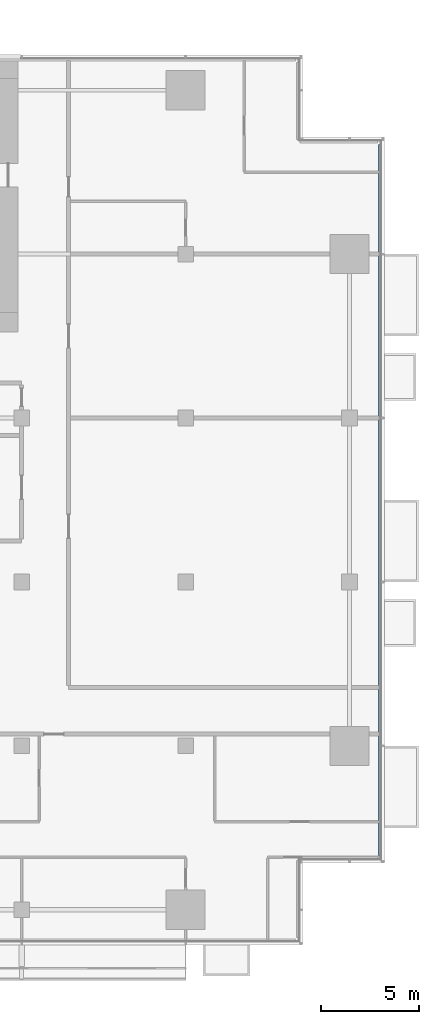
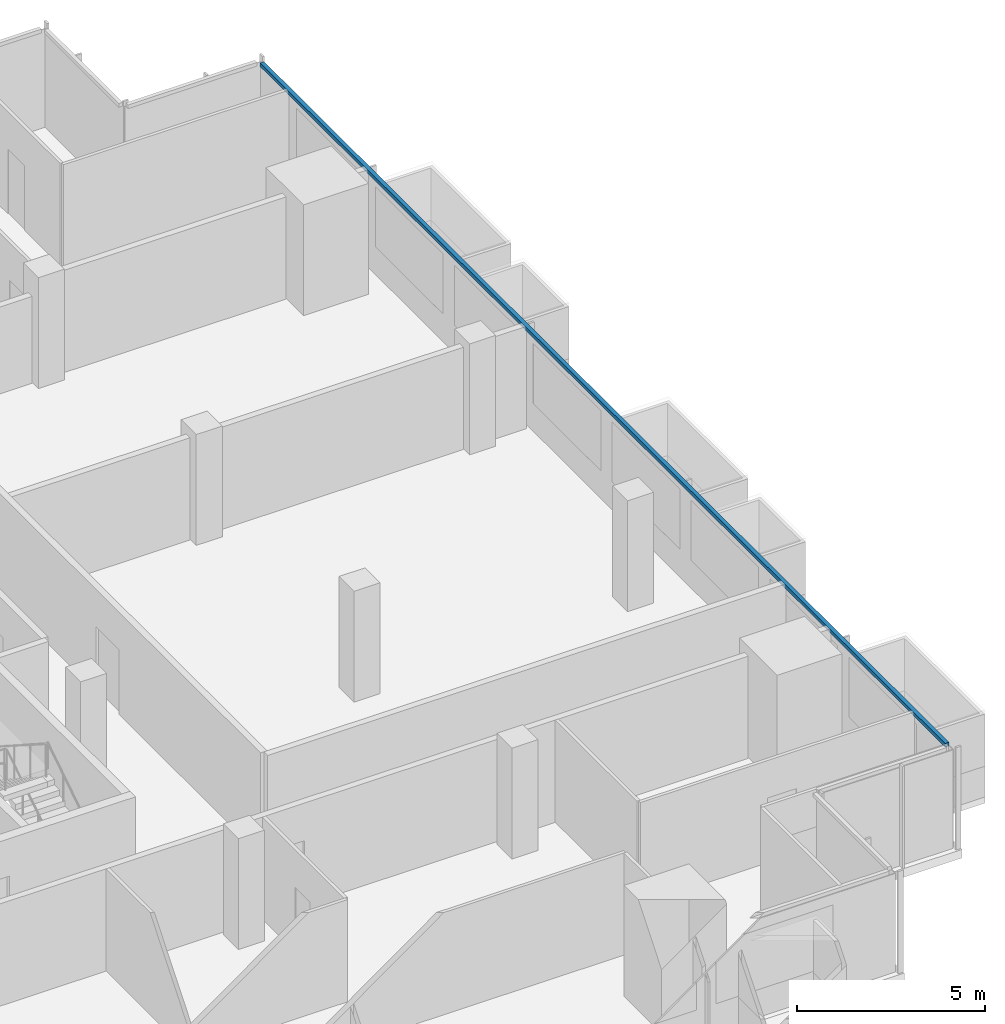
# One storey, part 12 of 26: 1 member, 1 element without a shape of its own.
"""IFC4 building model written with IfcOpenShell, lengths in metres."""

import ifcopenshell
import ifcopenshell.guid

model = None  # the IFC model being written
_history = None  # IfcOwnerHistory: only IFC2X3 demands one
_inside = {}  # id of a spatial element -> (the spatial element, [elements in it])
_under = {}  # id of a project, library or spatial element -> (it, [spatial elements below it])
_declared = {}  # id of a project -> (the project, [libraries it declares])
_typed = {}  # id of a type object -> (the type object, [elements of that type])
_made_of = {}  # id of a material, layer set ... -> (it, [elements and type objects made of it])


def new_model(schema):
    """Start an empty IFC model of exactly this schema.

    Asked for "IFC4X3", IfcOpenShell would pick the latest addendum, in which some entities
    have other attributes; the version numbers below select the first issue.
    IFC2X3 requires an IfcOwnerHistory on every rooted entity: one is made here for all.
    """
    global model, _history
    if schema == "IFC4X3":
        model = ifcopenshell.file(schema_version=(4, 3, 0, 0))
    else:
        model = ifcopenshell.file(schema=schema)
    _inside.clear()
    _under.clear()
    _declared.clear()
    _typed.clear()
    _made_of.clear()
    _history = None
    if model.schema == "IFC2X3":
        org = make("IfcOrganization", Name="unknown")
        user = make(
            "IfcPersonAndOrganization",
            ThePerson=make("IfcPerson", FamilyName="unknown"),
            TheOrganization=org,
        )
        app = make(
            "IfcApplication",
            ApplicationDeveloper=org,
            Version="unknown",
            ApplicationFullName="unknown",
            ApplicationIdentifier="unknown",
        )
        _history = make(
            "IfcOwnerHistory",
            OwningUser=user,
            OwningApplication=app,
            ChangeAction="ADDED",
            CreationDate=0,
        )
    return model


def make(cls, **values):
    """One entity of the class cls with the attributes given. An attribute that is None is left unset."""
    return model.create_entity(
        cls, **{name: value for name, value in values.items() if value is not None}
    )


def rooted(cls, **values):
    """An entity with a GlobalId (a new one), such as an element, a storey or a relation."""
    return make(cls, GlobalId=ifcopenshell.guid.new(), OwnerHistory=_history, **values)


def si_unit(unit_type, name, prefix=None):
    """IfcSIUnit, for example si_unit("LENGTHUNIT", "METRE", prefix="MILLI")."""
    return make("IfcSIUnit", UnitType=unit_type, Prefix=prefix, Name=name)


def assignment(units):
    """IfcUnitAssignment: the units of a project."""
    return None if units is None else make("IfcUnitAssignment", Units=units)


def point(xyz):
    """IfcCartesianPoint."""
    return None if xyz is None else make("IfcCartesianPoint", Coordinates=xyz)


def direction(xyz):
    """IfcDirection."""
    return None if xyz is None else make("IfcDirection", DirectionRatios=xyz)


def frame(location, z_axis=None, x_axis=None):
    """IfcAxis2Placement3D, a coordinate frame: its origin and axes. An axis left out is left unset."""
    return make(
        "IfcAxis2Placement3D",
        Location=point(location),
        Axis=direction(z_axis),
        RefDirection=direction(x_axis),
    )


def frame_2d(location, x_axis=None):
    """IfcAxis2Placement2D, a coordinate frame in the plane: its origin and x axis."""
    return make(
        "IfcAxis2Placement2D", Location=point(location), RefDirection=direction(x_axis)
    )


def origin():
    """The frame at (0, 0, 0) with its axes left unset."""
    return frame((0.0, 0.0, 0.0))


def origin_2d():
    """The frame at (0, 0) in the plane with its x axis left unset."""
    return frame_2d((0.0, 0.0))


def place(relative_to, where):
    """IfcLocalPlacement: puts the frame where relative to a parent placement (None: the world)."""
    return make(
        "IfcLocalPlacement", PlacementRelTo=relative_to, RelativePlacement=where
    )


def context(
    kind, dimensions, precision=None, world=None, true_north=None, identifier=None
):
    """IfcGeometricRepresentationContext, for example the 3D "Model" context."""
    return make(
        "IfcGeometricRepresentationContext",
        ContextIdentifier=identifier,
        ContextType=kind,
        CoordinateSpaceDimension=dimensions,
        Precision=precision,
        WorldCoordinateSystem=world,
        TrueNorth=true_north,
    )


def subcontext(parent, identifier, kind, view, scale=None):
    """IfcGeometricRepresentationSubContext, for example "Body" below "Model"."""
    return make(
        "IfcGeometricRepresentationSubContext",
        ContextIdentifier=identifier,
        ContextType=kind,
        ParentContext=parent,
        TargetScale=scale,
        TargetView=view,
    )


def project(units=None, contexts=None):
    """IfcProject with its units and contexts."""
    return rooted(
        "IfcProject",
        Name="project",
        RepresentationContexts=contexts,
        UnitsInContext=assignment(units),
    )


def spatial(cls, under=None, at=None, **own):
    """A site, building, storey or space (cls), placed at a placement, below another one or the project."""
    s = rooted(cls, ObjectPlacement=at, **own)
    if under is not None:
        _under.setdefault(under.id(), (under, []))[1].append(s)
    return s


def profile(cls, at=None, kind="AREA", **sizes):
    """A parametric profile (cls). Its sizes go by their IFC names, for example OverallWidth=200.0."""
    return make(cls, ProfileType=kind, Position=at, **sizes)


def rectangle(**sizes):
    """IfcRectangleProfileDef."""
    return profile("IfcRectangleProfileDef", **sizes)


def extrude(swept, where, along, depth):
    """IfcExtrudedAreaSolid: the profile swept, set in the frame where, extruded along a direction by depth."""
    return make(
        "IfcExtrudedAreaSolid",
        SweptArea=swept,
        Position=where,
        ExtrudedDirection=direction(along),
        Depth=depth,
    )


def shape(context_of_items, identifier, shape_type, items):
    """IfcShapeRepresentation: the items that make up one representation, for example the "Body"."""
    return make(
        "IfcShapeRepresentation",
        ContextOfItems=context_of_items,
        RepresentationIdentifier=identifier,
        RepresentationType=shape_type,
        Items=items,
    )


def material(Name=None, Category=None):
    """IfcMaterial."""
    return make("IfcMaterial", Name=Name, Category=Category)


def material_profile(
    of_material, cross_section, Name=None, Category=None, Priority=None
):
    """IfcMaterialProfile: a cross section and its material."""
    return make(
        "IfcMaterialProfile",
        Name=Name,
        Material=of_material,
        Profile=cross_section,
        Priority=Priority,
        Category=Category,
    )


def profile_set(profiles, Name=None, composite=None):
    """IfcMaterialProfileSet."""
    return make(
        "IfcMaterialProfileSet",
        Name=Name,
        MaterialProfiles=profiles,
        CompositeProfile=composite,
    )


def made_of(thing, what):
    """Note that an element or type object is made of a material, layer set ...; save() writes the relation."""
    if what is not None:
        _made_of.setdefault(what.id(), (what, []))[1].append(thing)
    return thing


def type_object(cls, material=None, **own):
    """A type object (cls), such as IfcWallType, which elements share."""
    return made_of(rooted(cls, **own), material)


def element(
    cls,
    number,
    at=None,
    inside=None,
    cuts=None,
    type_object=None,
    material=None,
    context=None,
    identifier="Body",
    shape_type=None,
    held_by="IfcProductDefinitionShape",
    body=None,
    shapes=None,
    **own,
):
    """One element of the class cls, such as IfcWall. Its Tag is "e" and its number.

    at: its placement. inside: the storey or other place that contains it. cuts: it is an
    opening in that element (IfcRelVoidsElement). A single representation is given by context,
    identifier, shape_type and body (its items); several are given by shapes. held_by: the class
    of the entity that holds the representations. save() writes the other relations.
    """
    e = rooted(cls, Tag="e%d" % number, ObjectPlacement=at, **own)
    if body is not None:
        shapes = [shape(context, identifier, shape_type, body)]
    if shapes is not None:
        e.Representation = make(held_by, Representations=shapes)
    if inside is not None:
        _inside.setdefault(inside.id(), (inside, []))[1].append(e)
    if cuts is not None:
        rooted(
            "IfcRelVoidsElement", RelatingBuildingElement=cuts, RelatedOpeningElement=e
        )
    if type_object is not None:
        _typed.setdefault(type_object.id(), (type_object, []))[1].append(e)
    return made_of(e, material)


def aggregate(whole, parts):
    """IfcRelAggregates: a whole, such as a stair, and the parts it consists of."""
    return rooted("IfcRelAggregates", RelatingObject=whole, RelatedObjects=parts)


def save(model, path):
    """Write the relations noted so far, then the file.

    IfcRelAggregates (storeys below a building ...), IfcRelContainedInSpatialStructure (elements
    in a storey), IfcRelDefinesByType, IfcRelAssociatesMaterial and IfcRelDeclares: one each for
    every whole, place, type object, material and project.
    """
    for whole, parts in _under.values():
        aggregate(whole, parts)
    for where, things in _inside.values():
        rooted(
            "IfcRelContainedInSpatialStructure",
            RelatedElements=things,
            RelatingStructure=where,
        )
    for kind, things in _typed.values():
        rooted("IfcRelDefinesByType", RelatedObjects=things, RelatingType=kind)
    for what, things in _made_of.values():
        rooted("IfcRelAssociatesMaterial", RelatedObjects=things, RelatingMaterial=what)
    for by, libraries in _declared.values():
        rooted("IfcRelDeclares", RelatingContext=by, RelatedDefinitions=libraries)
    model.write(path)


model = new_model("IFC4")

# Units and contexts
model_context = context("Model", 3, precision=1e-05, world=origin(), true_north=direction((0.0, 1.0)))
body_context = subcontext(model_context, "Body", "Model", "MODEL_VIEW")
ifc_project = project(units=[si_unit("LENGTHUNIT", "METRE"), si_unit("AREAUNIT", "SQUARE_METRE"), si_unit("VOLUMEUNIT", "CUBIC_METRE"), si_unit("PLANEANGLEUNIT", "RADIAN"), si_unit("MASSUNIT", "GRAM", prefix="KILO")], contexts=[model_context])

# Site, building, storey
site_placement = place(None, origin())
site = spatial("IfcSite", under=ifc_project, at=site_placement, CompositionType="ELEMENT")
building_placement = place(site_placement, origin())
building = spatial("IfcBuilding", under=site, at=building_placement, Name="Saffron Gate Tower", CompositionType="ELEMENT")
storey_placement = place(building_placement, frame((0.0, 0.0, 102.449951171875)))
storey = spatial("IfcBuildingStorey", under=building, at=storey_placement, Name="L23", CompositionType="ELEMENT", Elevation=102.449951171875)

# Curtain wall, member
ifc_material = material(Name="Aluminium, bronze anodised", Category="aluminium")
curtain_wall_type = type_object("IfcCurtainWallType", Name="CWS2 curtain wall side facades", PredefinedType="NOTDEFINED", material=ifc_material)
curtain_wall_placement = place(storey_placement, origin())
curtain_wall = element("IfcCurtainWall", 1, at=curtain_wall_placement, inside=storey, type_object=curtain_wall_type, Name="CWS2 run 4", PredefinedType="NOTDEFINED")
ifc_material_profile = material_profile(ifc_material, rectangle(XDim=0.1201171875, YDim=0.1201171875, at=origin_2d()))
ifc_profile_set = profile_set([ifc_material_profile], Name="Aluminium, bronze anodised")
member_type = type_object("IfcMemberType", Name="CWS2 head transom", PredefinedType="USERDEFINED", material=ifc_profile_set)
member_placement = place(storey_placement, frame((126.951904296875, 34.568115234375, 3.260009765625), z_axis=(0.0, 1.0, 0.0), x_axis=(-1.0, 0.0, 0.0)))
member = element("IfcMember", 2, at=member_placement, type_object=member_type, Name="CWS2 head transom", ObjectType="TRANSOM", PredefinedType="USERDEFINED", context=body_context, shape_type="SweptSolid", body=[
    extrude(rectangle(XDim=0.1201171875, YDim=0.1201171875, at=origin_2d()), origin(), (0.0, 0.0, 1.0), 36.4638671875),
])
aggregate(curtain_wall, [member])

save(model, "model.ifc")
